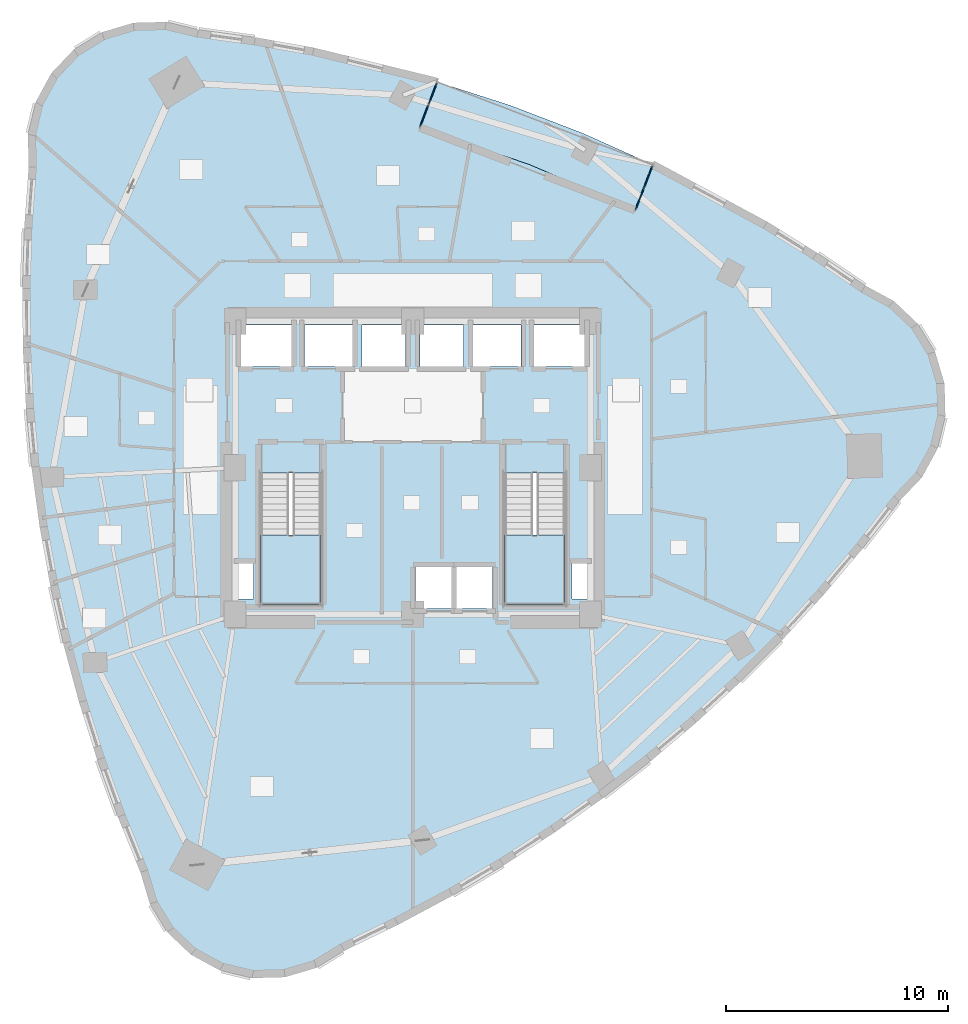
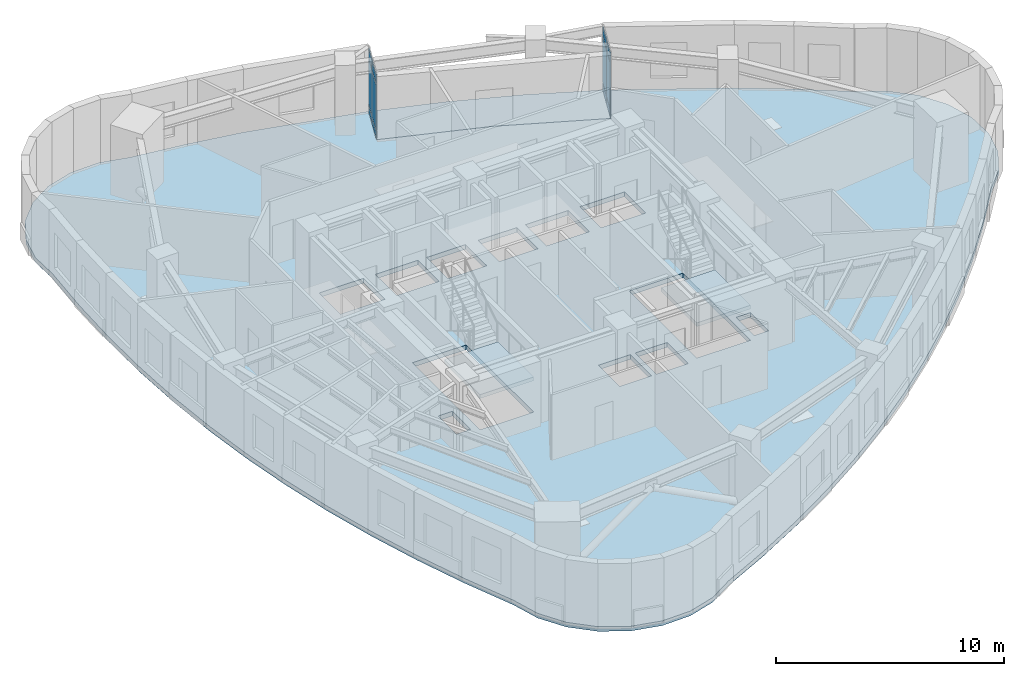
# One storey, part 5 of 13: 12 plates, 4 slabs, 4 elements without a shape of their own.
"""IFC4 building model written with IfcOpenShell, lengths in metres."""

from ifc_helpers import new_model, si_unit, direction, frame, origin, origin_2d, place, context, subcontext, project, spatial, polyline, rectangle, outline, extrude, material, layer, layer_set, type_object, element, aggregate, save


model = new_model("IFC4")

# Units and contexts
model_context = context("Model", 3, precision=1e-05, world=origin(), true_north=direction((0.0, 1.0)))
body_context = subcontext(model_context, "Body", "Model", "MODEL_VIEW")
ifc_project = project(units=[si_unit("LENGTHUNIT", "METRE"), si_unit("AREAUNIT", "SQUARE_METRE"), si_unit("VOLUMEUNIT", "CUBIC_METRE"), si_unit("PLANEANGLEUNIT", "RADIAN"), si_unit("MASSUNIT", "GRAM", prefix="KILO")], contexts=[model_context])

# Site, building, storey
site_placement = place(None, origin())
site = spatial("IfcSite", under=ifc_project, at=site_placement, CompositionType="ELEMENT")
building_placement = place(site_placement, origin())
building = spatial("IfcBuilding", under=site, at=building_placement, Name="Ndelora Gate Hotel", CompositionType="ELEMENT")
storey_placement = place(building_placement, frame((0.0, 0.0, 157.25)))
storey = spatial("IfcBuildingStorey", under=building, at=storey_placement, Name="L39", CompositionType="ELEMENT", Elevation=157.25)

# Curtain wall, plates
ifc_material_1 = material(Name="Bronze Anodised Unitised Aluminium and Low-E Glass", Category="aluminium")
ifc_layer_1 = layer(ifc_material_1, 0.199951171875)
ifc_layer_set_1 = layer_set([ifc_layer_1], Name="Bronze Anodised Unitised Aluminium and Low-E Glass")
curtain_wall_type = type_object("IfcCurtainWallType", Name="CW-SYS-3", PredefinedType="NOTDEFINED", material=ifc_layer_set_1)
curtain_wall_1_placement = place(storey_placement, origin())
curtain_wall_1 = element("IfcCurtainWall", 1, at=curtain_wall_1_placement, inside=storey, type_object=curtain_wall_type, Name="L39 Sky-Garden Loggia Side Curtain Wall CW3-1", PredefinedType="NOTDEFINED")
ifc_material_2 = material(Name="Solar-Control Low-E Insulated Glazing", Category="glass")
ifc_layer_2 = layer(ifc_material_2, 0.048095703125)
ifc_layer_set_2 = layer_set([ifc_layer_2], Name="Solar-Control Low-E Insulated Glazing")
plate_type = type_object("IfcPlateType", Name="PL-CW-GLZ36", PredefinedType="CURTAIN_PANEL", material=ifc_layer_set_2)
plate_1_placement = place(storey_placement, frame((10.2236328125, 12.123291015625, 0.05908203125), z_axis=(0.0, 0.0, 1.0), x_axis=(0.358360683234, 0.93358321574, 0.0)))
plate_1 = element("IfcPlate", 2, at=plate_1_placement, type_object=plate_type, Name="CW3 panel 1.1", PredefinedType="CURTAIN_PANEL", context=body_context, shape_type="SweptSolid", body=[
    extrude(rectangle(XDim=1.014404296875, YDim=0.048095703125, at=origin_2d()), origin(), (0.0, 0.0, 1.0), 0.364501953125),
])
plate_2_placement = place(storey_placement, frame((10.2236328125, 12.123291015625, 0.4765625), z_axis=(0.0, 0.0, 1.0), x_axis=(0.358360683234, 0.93358321574, 0.0)))
plate_2 = element("IfcPlate", 3, at=plate_2_placement, type_object=plate_type, Name="CW3 panel 1.2", PredefinedType="CURTAIN_PANEL", context=body_context, shape_type="SweptSolid", body=[
    extrude(rectangle(XDim=1.014404296875, YDim=0.048095703125, at=origin_2d()), origin(), (0.0, 0.0, 1.0), 2.447021484375),
])
plate_3_placement = place(storey_placement, frame((10.2236328125, 12.123291015625, 2.9765625), z_axis=(0.0, 0.0, 1.0), x_axis=(0.358360683234, 0.93358321574, 0.0)))
plate_3 = element("IfcPlate", 4, at=plate_3_placement, type_object=plate_type, Name="CW3 panel 1.3", PredefinedType="CURTAIN_PANEL", context=body_context, shape_type="SweptSolid", body=[
    extrude(rectangle(XDim=1.014404296875, YDim=0.048095703125, at=origin_2d()), origin(), (0.0, 0.0, 1.0), 0.464599609375),
])
plate_4_placement = place(storey_placement, frame((10.606201171875, 13.119873046875, 0.05908203125), z_axis=(0.0, 0.0, 1.0), x_axis=(0.358360683234, 0.93358321574, 0.0)))
plate_4 = element("IfcPlate", 5, at=plate_4_placement, type_object=plate_type, Name="CW3 panel 2.1", PredefinedType="CURTAIN_PANEL", context=body_context, shape_type="SweptSolid", body=[
    extrude(rectangle(XDim=1.014404296875, YDim=0.048095703125, at=origin_2d()), origin(), (0.0, 0.0, 1.0), 0.364501953125),
])
plate_5_placement = place(storey_placement, frame((10.606201171875, 13.119873046875, 0.4765625), z_axis=(0.0, 0.0, 1.0), x_axis=(0.358360683234, 0.93358321574, 0.0)))
plate_5 = element("IfcPlate", 6, at=plate_5_placement, type_object=plate_type, Name="CW3 panel 2.2", PredefinedType="CURTAIN_PANEL", context=body_context, shape_type="SweptSolid", body=[
    extrude(rectangle(XDim=1.014404296875, YDim=0.048095703125, at=origin_2d()), origin(), (0.0, 0.0, 1.0), 2.447021484375),
])
plate_6_placement = place(storey_placement, frame((10.606201171875, 13.119873046875, 2.9765625), z_axis=(0.0, 0.0, 1.0), x_axis=(0.358360683234, 0.93358321574, 0.0)))
plate_6 = element("IfcPlate", 7, at=plate_6_placement, type_object=plate_type, Name="CW3 panel 2.3", PredefinedType="CURTAIN_PANEL", context=body_context, shape_type="SweptSolid", body=[
    extrude(rectangle(XDim=1.014404296875, YDim=0.048095703125, at=origin_2d()), origin(), (0.0, 0.0, 1.0), 0.464599609375),
])
aggregate(curtain_wall_1, [plate_1, plate_2, plate_3, plate_4, plate_5, plate_6])

curtain_wall_2_placement = place(storey_placement, origin())
curtain_wall_2 = element("IfcCurtainWall", 8, at=curtain_wall_2_placement, inside=storey, type_object=curtain_wall_type, Name="L39 Sky-Garden Loggia Side Curtain Wall CW3-2", PredefinedType="NOTDEFINED")
plate_7_placement = place(storey_placement, frame((0.89697265625, 16.846923828125, 0.05908203125), z_axis=(0.0, 0.0, 1.0), x_axis=(-0.35837589096, -0.933577378035, 0.0)))
plate_7 = element("IfcPlate", 9, at=plate_7_placement, type_object=plate_type, Name="CW3 panel 1.1", PredefinedType="CURTAIN_PANEL", context=body_context, shape_type="SweptSolid", body=[
    extrude(rectangle(XDim=1.014404296875, YDim=0.048095703125, at=origin_2d()), origin(), (0.0, 0.0, 1.0), 0.364501953125),
])
plate_8_placement = place(storey_placement, frame((0.89697265625, 16.846923828125, 0.4765625), z_axis=(0.0, 0.0, 1.0), x_axis=(-0.35837589096, -0.933577378035, 0.0)))
plate_8 = element("IfcPlate", 10, at=plate_8_placement, type_object=plate_type, Name="CW3 panel 1.2", PredefinedType="CURTAIN_PANEL", context=body_context, shape_type="SweptSolid", body=[
    extrude(rectangle(XDim=1.014404296875, YDim=0.048095703125, at=origin_2d()), origin(), (0.0, 0.0, 1.0), 2.447021484375),
])
plate_9_placement = place(storey_placement, frame((0.89697265625, 16.846923828125, 2.9765625), z_axis=(0.0, 0.0, 1.0), x_axis=(-0.35837589096, -0.933577378035, 0.0)))
plate_9 = element("IfcPlate", 11, at=plate_9_placement, type_object=plate_type, Name="CW3 panel 1.3", PredefinedType="CURTAIN_PANEL", context=body_context, shape_type="SweptSolid", body=[
    extrude(rectangle(XDim=1.014404296875, YDim=0.048095703125, at=origin_2d()), origin(), (0.0, 0.0, 1.0), 0.464599609375),
])
plate_10_placement = place(storey_placement, frame((0.514404296875, 15.850341796875, 0.05908203125), z_axis=(0.0, 0.0, 1.0), x_axis=(-0.35837589096, -0.933577378035, 0.0)))
plate_10 = element("IfcPlate", 12, at=plate_10_placement, type_object=plate_type, Name="CW3 panel 2.1", PredefinedType="CURTAIN_PANEL", context=body_context, shape_type="SweptSolid", body=[
    extrude(rectangle(XDim=1.014404296875, YDim=0.048095703125, at=origin_2d()), origin(), (0.0, 0.0, 1.0), 0.364501953125),
])
plate_11_placement = place(storey_placement, frame((0.514404296875, 15.850341796875, 0.4765625), z_axis=(0.0, 0.0, 1.0), x_axis=(-0.35837589096, -0.933577378035, 0.0)))
plate_11 = element("IfcPlate", 13, at=plate_11_placement, type_object=plate_type, Name="CW3 panel 2.2", PredefinedType="CURTAIN_PANEL", context=body_context, shape_type="SweptSolid", body=[
    extrude(rectangle(XDim=1.014404296875, YDim=0.048095703125, at=origin_2d()), origin(), (0.0, 0.0, 1.0), 2.447021484375),
])
plate_12_placement = place(storey_placement, frame((0.514404296875, 15.850341796875, 2.9765625), z_axis=(0.0, 0.0, 1.0), x_axis=(-0.35837589096, -0.933577378035, 0.0)))
plate_12 = element("IfcPlate", 14, at=plate_12_placement, type_object=plate_type, Name="CW3 panel 2.3", PredefinedType="CURTAIN_PANEL", context=body_context, shape_type="SweptSolid", body=[
    extrude(rectangle(XDim=1.014404296875, YDim=0.048095703125, at=origin_2d()), origin(), (0.0, 0.0, 1.0), 0.464599609375),
])
aggregate(curtain_wall_2, [plate_7, plate_8, plate_9, plate_10, plate_11, plate_12])

# Stair, slab
ifc_material_3 = material(Name="Precast concrete C40/50", Category="concrete")
stair_type = type_object("IfcStairType", Name="STR-DOG-CORE", PredefinedType="HALF_TURN_STAIR", material=ifc_material_3)
stair_1_placement = place(storey_placement, origin())
stair_1 = element("IfcStair", 15, at=stair_1_placement, inside=storey, type_object=stair_type, Name="L39 Protected Core Exit Stair ST4", PredefinedType="HALF_TURN_STAIR")
ifc_layer_3 = layer(ifc_material_3, 0.219970703125)
ifc_layer_set_3 = layer_set([ifc_layer_3], Name="Precast concrete C40/50")
slab_type_1 = type_object("IfcSlabType", Name="SL-LAND-220", PredefinedType="LANDING", material=ifc_layer_set_3)
slab_1_placement = place(storey_placement, frame((0.0, 0.0, 1.675048828125)))
slab_1 = element("IfcSlab", 16, at=slab_1_placement, type_object=slab_type_1, Name="ST4 landing 1", PredefinedType="LANDING", context=body_context, shape_type="SweptSolid", body=[
    extrude(outline(polyline([(-6.85009765625, -3.030029296875), (-6.85009765625, -6.14990234375), (-4.1298828125, -6.14990234375), (-4.1298828125, -3.030029296875), (-6.85009765625, -3.030029296875)])), origin(), (0.0, 0.0, 1.0), 0.199951171875),
])
aggregate(stair_1, [slab_1])

stair_2_placement = place(storey_placement, origin())
stair_2 = element("IfcStair", 17, at=stair_2_placement, inside=storey, type_object=stair_type, Name="L39 Protected Core Exit Stair ST5", PredefinedType="HALF_TURN_STAIR")
slab_2_placement = place(storey_placement, frame((0.0, 0.0, 1.675048828125)))
slab_2 = element("IfcSlab", 18, at=slab_2_placement, type_object=slab_type_1, Name="ST5 landing 1", PredefinedType="LANDING", context=body_context, shape_type="SweptSolid", body=[
    extrude(outline(polyline([(4.1298828125, -3.030029296875), (4.1298828125, -6.14990234375), (6.85009765625, -6.14990234375), (6.85009765625, -3.030029296875), (4.1298828125, -3.030029296875)])), origin(), (0.0, 0.0, 1.0), 0.199951171875),
])
aggregate(stair_2, [slab_2])

# Slabs
ifc_layer_4 = layer(ifc_material_3, 0.239990234375)
ifc_layer_set_4 = layer_set([ifc_layer_4], Name="Precast concrete C40/50")
slab_type_2 = type_object("IfcSlabType", Name="SL-TER-240", PredefinedType="FLOOR", material=ifc_layer_set_4)
slab_3_placement = place(storey_placement, frame((0.0, 0.0, -0.239990234375)))
element("IfcSlab", 19, at=slab_3_placement, inside=storey, type_object=slab_type_2, Name="L39 Sky Garden Loggia Terrace Slab", PredefinedType="FLOOR", context=body_context, shape_type="SweptSolid", body=[
    extrude(outline(polyline([(10.020751953125, 11.594482421875), (10.80908203125, 13.6484375), (7.673095703125, 15.0556640625), (4.371826171875, 16.32275390625), (1.099853515625, 17.37548828125), (0.3115234375, 15.32177734375), (5.242919921875, 13.658447265625), (10.020751953125, 11.594482421875)])), origin(), (0.0, 0.0, 1.0), 0.239990234375),
])
ifc_material_4 = material(Name="Concrete C40/50", Category="concrete")
ifc_layer_5 = layer(ifc_material_4, 0.25)
ifc_layer_set_5 = layer_set([ifc_layer_5], Name="Concrete C40/50")
slab_type_3 = type_object("IfcSlabType", Name="SL-TWR-250", PredefinedType="FLOOR", material=ifc_layer_set_5)
slab_4_placement = place(storey_placement, frame((0.0, 0.0, -0.25)))
element("IfcSlab", 20, at=slab_4_placement, inside=storey, type_object=slab_type_3, Name="L39 Structural Floor Slab", PredefinedType="FLOOR", context=body_context, shape_type="SweptSolid", body=[
    extrude(outline(polyline([(-9.70947265625, 19.558837890625), (-11.10546875, 19.89404296875), (-12.540771484375, 19.8564453125), (-13.91748046875, 19.448486328125), (-15.1416015625, 18.698486328125), (-16.1298828125, 17.656982421875), (-16.815185546875, 16.39501953125), (-17.150390625, 14.9990234375), (-17.11279296875, 13.563720703125), (-17.312255859375, 10.819580078125), (-17.3994140625, 8.093505859375), (-17.3740234375, 5.38525390625), (-17.236083984375, 2.69482421875), (-16.98583984375, 0.022216796875), (-16.623046875, -2.6328125), (-16.147705078125, -5.27001953125), (-15.559814453125, -7.88916015625), (-14.859619140625, -10.490478515625), (-14.046630859375, -13.07421875), (-13.12158203125, -15.639892578125), (-12.083740234375, -18.18798828125), (-11.67578125, -19.564697265625), (-10.92578125, -20.788818359375), (-9.88427734375, -21.777099609375), (-8.62255859375, -22.46240234375), (-7.226318359375, -22.79736328125), (-5.791015625, -22.760009765625), (-4.414306640625, -22.35205078125), (-3.190185546875, -21.601806640625), (-0.714111328125, -20.402587890625), (1.6904296875, -19.114990234375), (4.023193359375, -17.739013671875), (6.2841796875, -16.2744140625), (8.473876953125, -14.72119140625), (10.591552734375, -13.07958984375), (12.6376953125, -11.349365234375), (14.612060546875, -9.530517578125), (16.514892578125, -7.623291015625), (18.345947265625, -5.627685546875), (20.105224609375, -3.54345703125), (21.793212890625, -1.370849609375), (22.781494140625, -0.329345703125), (23.466552734375, 0.9326171875), (23.8017578125, 2.32861328125), (23.76416015625, 3.763916015625), (23.356201171875, 5.140380859375), (22.606201171875, 6.36474609375), (21.564697265625, 7.35302734375), (20.302734375, 8.0380859375), (18.1181640625, 9.523193359375), (15.895751953125, 10.910400390625), (10.80908203125, 13.6484375), (10.020751953125, 11.594482421875), (5.242919921875, 13.658447265625), (0.3115234375, 15.32177734375), (1.099853515625, 17.37548828125), (-4.512451171875, 18.744384765625), (-7.092041015625, 19.20068359375), (-9.70947265625, 19.558837890625)]), holes=[polyline([(-6.85009765625, -0.22998046875), (-6.85009765625, -6.14990234375), (-4.1298828125, -6.14990234375), (-4.1298828125, -0.22998046875), (-6.85009765625, -0.22998046875)]), polyline([(4.1298828125, -0.22998046875), (4.1298828125, -6.14990234375), (6.85009765625, -6.14990234375), (6.85009765625, -0.22998046875), (4.1298828125, -0.22998046875)]), polyline([(-7.72998046875, 4.570068359375), (-5.469970703125, 4.570068359375), (-5.469970703125, 6.429931640625), (-7.72998046875, 6.429931640625), (-7.72998046875, 4.570068359375)]), polyline([(5.469970703125, 4.570068359375), (7.72998046875, 4.570068359375), (7.72998046875, 6.429931640625), (5.469970703125, 6.429931640625), (5.469970703125, 4.570068359375)]), polyline([(-4.8798828125, 4.570068359375), (-2.719970703125, 4.570068359375), (-2.719970703125, 6.429931640625), (-4.8798828125, 6.429931640625), (-4.8798828125, 4.570068359375)]), polyline([(2.719970703125, 4.570068359375), (4.8798828125, 4.570068359375), (4.8798828125, 6.429931640625), (2.719970703125, 6.429931640625), (2.719970703125, 4.570068359375)]), polyline([(0.1201171875, -6.330078125), (1.739990234375, -6.330078125), (1.739990234375, -4.469970703125), (0.1201171875, -4.469970703125), (0.1201171875, -6.330078125)]), polyline([(1.97998046875, -6.330078125), (3.60009765625, -6.330078125), (3.60009765625, -4.469970703125), (1.97998046875, -4.469970703125), (1.97998046875, -6.330078125)]), polyline([(-2.280029296875, 4.570068359375), (-0.320068359375, 4.570068359375), (-0.320068359375, 6.429931640625), (-2.280029296875, 6.429931640625), (-2.280029296875, 4.570068359375)]), polyline([(0.320068359375, 4.570068359375), (2.280029296875, 4.570068359375), (2.280029296875, 6.429931640625), (0.320068359375, 6.429931640625), (0.320068359375, 4.570068359375)]), polyline([(-7.89990234375, -5.919921875), (-7.179931640625, -5.919921875), (-7.179931640625, -4.320068359375), (-7.89990234375, -4.320068359375), (-7.89990234375, -5.919921875)]), polyline([(7.179931640625, -5.919921875), (7.89990234375, -5.919921875), (7.89990234375, -4.320068359375), (7.179931640625, -4.320068359375), (7.179931640625, -5.919921875)])]), origin(), (0.0, 0.0, 1.0), 0.25),
])

save(model, "model.ifc")
